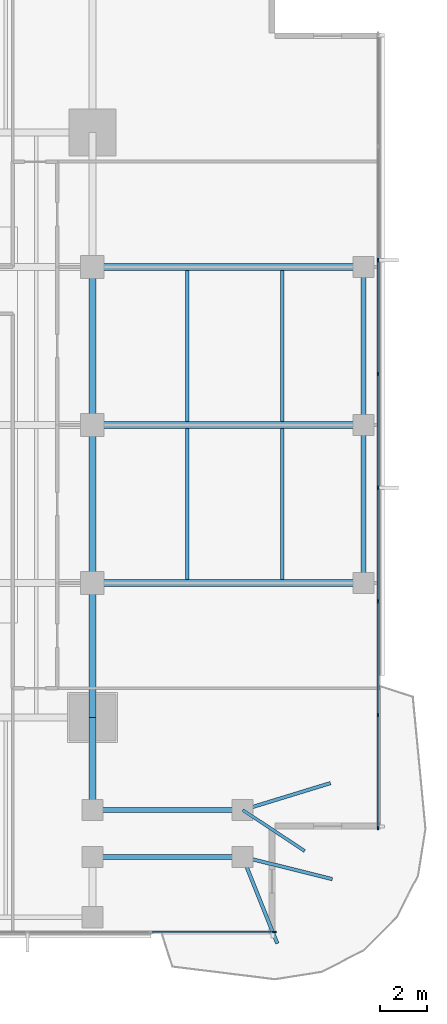
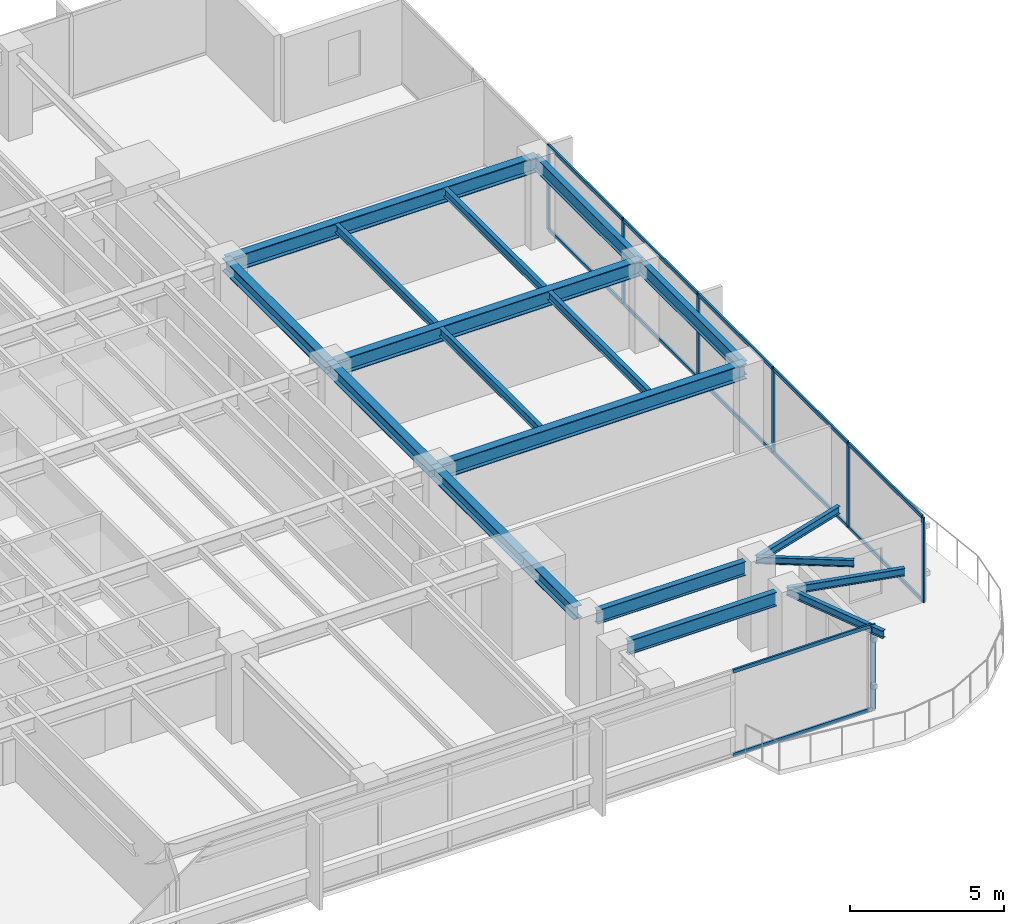
# One storey, part 4 of 14: 19 beams, 19 members, 2 elements without a shape of their own.
"""IFC4 building model written with IfcOpenShell, lengths in metres."""

from ifc_helpers import new_model, si_unit, direction, frame, origin, origin_2d, place, context, subcontext, project, spatial, rectangle, i_section, extrude, material, layer, layer_set, material_profile, profile_set, type_object, element, aggregate, save


model = new_model("IFC4")

# Units and contexts
model_context = context("Model", 3, precision=1e-05, world=origin(), true_north=direction((0.0, 1.0)))
body_context = subcontext(model_context, "Body", "Model", "MODEL_VIEW")
ifc_project = project(units=[si_unit("LENGTHUNIT", "METRE"), si_unit("AREAUNIT", "SQUARE_METRE"), si_unit("VOLUMEUNIT", "CUBIC_METRE"), si_unit("PLANEANGLEUNIT", "RADIAN"), si_unit("MASSUNIT", "GRAM", prefix="KILO")], contexts=[model_context])

# Site, building, storey
site_placement = place(None, origin())
site = spatial("IfcSite", under=ifc_project, at=site_placement, CompositionType="ELEMENT")
building_placement = place(site_placement, origin())
building = spatial("IfcBuilding", under=site, at=building_placement, Name="Kinhvarn Gate Tower", CompositionType="ELEMENT")
storey_placement = place(building_placement, frame((0.0, 0.0, 151.949951171875)))
storey = spatial("IfcBuildingStorey", under=building, at=storey_placement, Name="L40", CompositionType="ELEMENT", Elevation=151.949951171875)

# Curtain wall, member
ifc_material_1 = material(Name="Anodised aluminium AW-6063", Category="aluminium")
ifc_layer = layer(ifc_material_1, 0.179931640625)
ifc_layer_set = layer_set([ifc_layer], Name="Anodised aluminium AW-6063")
curtain_wall_type = type_object("IfcCurtainWallType", Name="CW-SYS-3", PredefinedType="NOTDEFINED", material=ifc_layer_set)
curtain_wall_1_placement = place(storey_placement, origin())
curtain_wall_1 = element("IfcCurtainWall", 1, at=curtain_wall_1_placement, inside=storey, type_object=curtain_wall_type, Name="Curtain Wall CW3 (L40)", PredefinedType="NOTDEFINED")
ifc_material_profile_1 = material_profile(ifc_material_1, rectangle(XDim=0.06494140625, YDim=0.159912109375, at=origin_2d()), Name="ALU 65x160")
ifc_profile_set_1 = profile_set([ifc_material_profile_1], Name="Anodised aluminium AW-6063")
member_type_1 = type_object("IfcMemberType", Name="CW-MUL-160", PredefinedType="MULLION", material=ifc_profile_set_1)
member_1_placement = place(storey_placement, frame((45.967529296875, 3.590087890625, 0.0), z_axis=(0.0, 0.0, 1.0), x_axis=(0.0, 1.0, 0.0)))
member_1 = element("IfcMember", 2, at=member_1_placement, type_object=member_type_1, Name="CW3 mullion 8", PredefinedType="MULLION", context=body_context, shape_type="SweptSolid", body=[
    extrude(rectangle(XDim=0.06494140625, YDim=0.159912109375, at=origin_2d()), origin(), (0.0, 0.0, 1.0), 3.3701171875),
])

# Curtain wall, members
curtain_wall_2_placement = place(storey_placement, origin())
curtain_wall_2 = element("IfcCurtainWall", 3, at=curtain_wall_2_placement, inside=storey, type_object=curtain_wall_type, Name="Curtain Wall CW3 (L40)", PredefinedType="NOTDEFINED")
member_2_placement = place(storey_placement, frame((50.409912109375, 8.032470703125, 0.0), z_axis=(0.0, 0.0, 1.0), x_axis=(-1.0, 0.0, 0.0)))
member_2 = element("IfcMember", 4, at=member_2_placement, type_object=member_type_1, Name="CW3 mullion 1", PredefinedType="MULLION", context=body_context, shape_type="SweptSolid", body=[
    extrude(rectangle(XDim=0.06494140625, YDim=0.159912109375, at=origin_2d()), origin(), (0.0, 0.0, 1.0), 3.3701171875),
])
member_3_placement = place(storey_placement, frame((50.409912109375, 12.857177734375, 0.0), z_axis=(0.0, 0.0, 1.0), x_axis=(-1.0, 0.0, 0.0)))
member_3 = element("IfcMember", 5, at=member_3_placement, type_object=member_type_1, Name="CW3 mullion 2", PredefinedType="MULLION", context=body_context, shape_type="SweptSolid", body=[
    extrude(rectangle(XDim=0.06494140625, YDim=0.159912109375, at=origin_2d()), origin(), (0.0, 0.0, 1.0), 3.3701171875),
])
member_4_placement = place(storey_placement, frame((50.409912109375, 17.71435546875, 0.0), z_axis=(0.0, 0.0, 1.0), x_axis=(-1.0, 0.0, 0.0)))
member_4 = element("IfcMember", 6, at=member_4_placement, type_object=member_type_1, Name="CW3 mullion 3", PredefinedType="MULLION", context=body_context, shape_type="SweptSolid", body=[
    extrude(rectangle(XDim=0.06494140625, YDim=0.159912109375, at=origin_2d()), origin(), (0.0, 0.0, 1.0), 3.3701171875),
])
member_5_placement = place(storey_placement, frame((50.409912109375, 22.571533203125, 0.0), z_axis=(0.0, 0.0, 1.0), x_axis=(-1.0, 0.0, 0.0)))
member_5 = element("IfcMember", 7, at=member_5_placement, type_object=member_type_1, Name="CW3 mullion 4", PredefinedType="MULLION", context=body_context, shape_type="SweptSolid", body=[
    extrude(rectangle(XDim=0.06494140625, YDim=0.159912109375, at=origin_2d()), origin(), (0.0, 0.0, 1.0), 3.3701171875),
])
member_6_placement = place(storey_placement, frame((50.409912109375, 27.428466796875, 0.0), z_axis=(0.0, 0.0, 1.0), x_axis=(-1.0, 0.0, 0.0)))
member_6 = element("IfcMember", 8, at=member_6_placement, type_object=member_type_1, Name="CW3 mullion 5", PredefinedType="MULLION", context=body_context, shape_type="SweptSolid", body=[
    extrude(rectangle(XDim=0.06494140625, YDim=0.159912109375, at=origin_2d()), origin(), (0.0, 0.0, 1.0), 3.3701171875),
])
member_7_placement = place(storey_placement, frame((50.409912109375, 32.28564453125, 0.0), z_axis=(0.0, 0.0, 1.0), x_axis=(-1.0, 0.0, 0.0)))
member_7 = element("IfcMember", 9, at=member_7_placement, type_object=member_type_1, Name="CW3 mullion 6", PredefinedType="MULLION", context=body_context, shape_type="SweptSolid", body=[
    extrude(rectangle(XDim=0.06494140625, YDim=0.159912109375, at=origin_2d()), origin(), (0.0, 0.0, 1.0), 3.3701171875),
])

# Member
ifc_material_profile_2 = material_profile(ifc_material_1, rectangle(XDim=0.070068359375, YDim=0.139892578125, at=origin_2d()), Name="ALU 70x140")
ifc_profile_set_2 = profile_set([ifc_material_profile_2], Name="Anodised aluminium AW-6063")
member_type_2 = type_object("IfcMemberType", Name="CW-TRN-140", PredefinedType="USERDEFINED", material=ifc_profile_set_2)
member_8_placement = place(storey_placement, frame((40.746826171875, 3.590087890625, 0.03515625), z_axis=(1.0, 0.0, 0.0), x_axis=(0.0, 1.0, 0.0)))
member_8 = element("IfcMember", 10, at=member_8_placement, type_object=member_type_2, Name="CW3 transom 7.1", ObjectType="TRANSOM", PredefinedType="USERDEFINED", context=body_context, shape_type="SweptSolid", body=[
    extrude(rectangle(XDim=0.070068359375, YDim=0.139892578125, at=origin_2d()), origin(), (0.0, 0.0, 1.0), 5.188232421875),
])

member_9_placement = place(storey_placement, frame((40.746826171875, 3.590087890625, 3.3349609375), z_axis=(1.0, 0.0, 0.0), x_axis=(0.0, 1.0, 0.0)))
member_9 = element("IfcMember", 11, at=member_9_placement, type_object=member_type_2, Name="CW3 transom 7.2", ObjectType="TRANSOM", PredefinedType="USERDEFINED", context=body_context, shape_type="SweptSolid", body=[
    extrude(rectangle(XDim=0.070068359375, YDim=0.139892578125, at=origin_2d()), origin(), (0.0, 0.0, 1.0), 5.188232421875),
])

aggregate(curtain_wall_1, [member_1, member_8, member_9])

member_10_placement = place(storey_placement, frame((50.409912109375, 8.06494140625, 0.03515625), z_axis=(0.0, 1.0, 0.0), x_axis=(-1.0, 0.0, 0.0)))
member_10 = element("IfcMember", 12, at=member_10_placement, type_object=member_type_2, Name="CW3 transom 1.1", ObjectType="TRANSOM", PredefinedType="USERDEFINED", context=body_context, shape_type="SweptSolid", body=[
    extrude(rectangle(XDim=0.070068359375, YDim=0.139892578125, at=origin_2d()), origin(), (0.0, 0.0, 1.0), 4.759765625),
])

member_11_placement = place(storey_placement, frame((50.409912109375, 8.06494140625, 3.3349609375), z_axis=(0.0, 1.0, 0.0), x_axis=(-1.0, 0.0, 0.0)))
member_11 = element("IfcMember", 13, at=member_11_placement, type_object=member_type_2, Name="CW3 transom 1.2", ObjectType="TRANSOM", PredefinedType="USERDEFINED", context=body_context, shape_type="SweptSolid", body=[
    extrude(rectangle(XDim=0.070068359375, YDim=0.139892578125, at=origin_2d()), origin(), (0.0, 0.0, 1.0), 4.759765625),
])

member_12_placement = place(storey_placement, frame((50.409912109375, 12.8896484375, 0.03515625), z_axis=(0.0, 1.0, 0.0), x_axis=(-1.0, 0.0, 0.0)))
member_12 = element("IfcMember", 14, at=member_12_placement, type_object=member_type_2, Name="CW3 transom 2.1", ObjectType="TRANSOM", PredefinedType="USERDEFINED", context=body_context, shape_type="SweptSolid", body=[
    extrude(rectangle(XDim=0.070068359375, YDim=0.139892578125, at=origin_2d()), origin(), (0.0, 0.0, 1.0), 4.792236328125),
])

member_13_placement = place(storey_placement, frame((50.409912109375, 12.8896484375, 3.3349609375), z_axis=(0.0, 1.0, 0.0), x_axis=(-1.0, 0.0, 0.0)))
member_13 = element("IfcMember", 15, at=member_13_placement, type_object=member_type_2, Name="CW3 transom 2.2", ObjectType="TRANSOM", PredefinedType="USERDEFINED", context=body_context, shape_type="SweptSolid", body=[
    extrude(rectangle(XDim=0.070068359375, YDim=0.139892578125, at=origin_2d()), origin(), (0.0, 0.0, 1.0), 4.792236328125),
])

member_14_placement = place(storey_placement, frame((50.409912109375, 17.746826171875, 0.03515625), z_axis=(0.0, 1.0, 0.0), x_axis=(-1.0, 0.0, 0.0)))
member_14 = element("IfcMember", 16, at=member_14_placement, type_object=member_type_2, Name="CW3 transom 3.1", ObjectType="TRANSOM", PredefinedType="USERDEFINED", context=body_context, shape_type="SweptSolid", body=[
    extrude(rectangle(XDim=0.070068359375, YDim=0.139892578125, at=origin_2d()), origin(), (0.0, 0.0, 1.0), 4.7919921875),
])

member_15_placement = place(storey_placement, frame((50.409912109375, 17.746826171875, 3.3349609375), z_axis=(0.0, 1.0, 0.0), x_axis=(-1.0, 0.0, 0.0)))
member_15 = element("IfcMember", 17, at=member_15_placement, type_object=member_type_2, Name="CW3 transom 3.2", ObjectType="TRANSOM", PredefinedType="USERDEFINED", context=body_context, shape_type="SweptSolid", body=[
    extrude(rectangle(XDim=0.070068359375, YDim=0.139892578125, at=origin_2d()), origin(), (0.0, 0.0, 1.0), 4.7919921875),
])

member_16_placement = place(storey_placement, frame((50.409912109375, 22.60400390625, 0.03515625), z_axis=(0.0, 1.0, 0.0), x_axis=(-1.0, 0.0, 0.0)))
member_16 = element("IfcMember", 18, at=member_16_placement, type_object=member_type_2, Name="CW3 transom 4.1", ObjectType="TRANSOM", PredefinedType="USERDEFINED", context=body_context, shape_type="SweptSolid", body=[
    extrude(rectangle(XDim=0.070068359375, YDim=0.139892578125, at=origin_2d()), origin(), (0.0, 0.0, 1.0), 4.7919921875),
])

member_17_placement = place(storey_placement, frame((50.409912109375, 22.60400390625, 3.3349609375), z_axis=(0.0, 1.0, 0.0), x_axis=(-1.0, 0.0, 0.0)))
member_17 = element("IfcMember", 19, at=member_17_placement, type_object=member_type_2, Name="CW3 transom 4.2", ObjectType="TRANSOM", PredefinedType="USERDEFINED", context=body_context, shape_type="SweptSolid", body=[
    extrude(rectangle(XDim=0.070068359375, YDim=0.139892578125, at=origin_2d()), origin(), (0.0, 0.0, 1.0), 4.7919921875),
])

member_18_placement = place(storey_placement, frame((50.409912109375, 27.461181640625, 0.03515625), z_axis=(0.0, 1.0, 0.0), x_axis=(-1.0, 0.0, 0.0)))
member_18 = element("IfcMember", 20, at=member_18_placement, type_object=member_type_2, Name="CW3 transom 5.1", ObjectType="TRANSOM", PredefinedType="USERDEFINED", context=body_context, shape_type="SweptSolid", body=[
    extrude(rectangle(XDim=0.070068359375, YDim=0.139892578125, at=origin_2d()), origin(), (0.0, 0.0, 1.0), 4.7919921875),
])

member_19_placement = place(storey_placement, frame((50.409912109375, 27.461181640625, 3.3349609375), z_axis=(0.0, 1.0, 0.0), x_axis=(-1.0, 0.0, 0.0)))
member_19 = element("IfcMember", 21, at=member_19_placement, type_object=member_type_2, Name="CW3 transom 5.2", ObjectType="TRANSOM", PredefinedType="USERDEFINED", context=body_context, shape_type="SweptSolid", body=[
    extrude(rectangle(XDim=0.070068359375, YDim=0.139892578125, at=origin_2d()), origin(), (0.0, 0.0, 1.0), 4.7919921875),
])

aggregate(curtain_wall_2, [member_2, member_3, member_4, member_5, member_6, member_7, member_10, member_11, member_12, member_13, member_14, member_15, member_16, member_17, member_18, member_19])

# Beams
ifc_material_2 = material(Name="Steel S355", Category="steel")
ifc_material_profile_3 = material_profile(ifc_material_2, i_section(OverallWidth=0.300048828125, OverallDepth=0.5, WebThickness=0.014404296875, FlangeThickness=0.028076171875, at=origin_2d()), Name="HEB 500")
ifc_profile_set_3 = profile_set([ifc_material_profile_3], Name="Steel S355")
beam_type_1 = type_object("IfcBeamType", Name="STL-HEB500", PredefinedType="BEAM", material=ifc_profile_set_3)
beam_1_placement = place(storey_placement, frame((38.199951171875, 9.235107421875, 3.1201171875), z_axis=(0.0, 1.0, 0.0), x_axis=(-1.0, 0.0, 0.0)))
element("IfcBeam", 22, at=beam_1_placement, inside=storey, type_object=beam_type_1, Name="Floor Beam PG-14 (L40 MCE-S-A2)", PredefinedType="BEAM", context=body_context, shape_type="SweptSolid", body=[
    extrude(i_section(OverallWidth=0.300048828125, OverallDepth=0.5, WebThickness=0.014404296875, FlangeThickness=0.028076171875, at=origin_2d()), origin(), (0.0, 0.0, 1.0), 3.514892578125),
])
beam_2_placement = place(storey_placement, frame((38.199951171875, 12.75, 3.1201171875), z_axis=(0.0, 1.0, 0.0), x_axis=(-1.0, 0.0, 0.0)))
element("IfcBeam", 23, at=beam_2_placement, inside=storey, type_object=beam_type_1, Name="Floor Beam PG-14 (L40 MG-E-12)", PredefinedType="BEAM", context=body_context, shape_type="SweptSolid", body=[
    extrude(i_section(OverallWidth=0.300048828125, OverallDepth=0.5, WebThickness=0.014404296875, FlangeThickness=0.028076171875, at=origin_2d()), origin(), (0.0, 0.0, 1.0), 5.75),
])
for number, where, z_axis, x_axis, name in (
    (24, (38.199951171875, 18.5, 3.1201171875), (0.0, 1.0, 0.0), (-1.0, 0.0, 0.0), "Floor Beam PG-14 (L40 MG-E-18)"),
    (25, (38.199951171875, 25.25, 3.1201171875), (0.0, 1.0, 0.0), (-1.0, 0.0, 0.0), "Floor Beam PG-14 (L40 MG-E-25)"),
):
    element("IfcBeam", number, at=place(storey_placement, frame(where, z_axis=z_axis, x_axis=x_axis)), inside=storey, type_object=beam_type_1, Name=name, PredefinedType="BEAM", context=body_context, shape_type="SweptSolid", body=[
        extrude(i_section(OverallWidth=0.300048828125, OverallDepth=0.5, WebThickness=0.014404296875, FlangeThickness=0.028076171875, at=origin_2d()), origin(), (0.0, 0.0, 1.0), 6.75),
    ])
ifc_material_profile_4 = material_profile(ifc_material_2, i_section(OverallWidth=0.300048828125, OverallDepth=0.60009765625, WebThickness=0.015380859375, FlangeThickness=0.030029296875, at=origin_2d()), Name="HEB 600")
ifc_profile_set_4 = profile_set([ifc_material_profile_4], Name="Steel S355")
beam_type_2 = type_object("IfcBeamType", Name="STL-HEB600", PredefinedType="BEAM", material=ifc_profile_set_4)
for number, where, z_axis, x_axis, name in (
    (26, (38.199951171875, 18.5, 3.070068359375), (1.0, 0.0, 0.0), (0.0, 1.0, 0.0), "Floor Beam PG-16 (L40 EW2-Y18)"),
    (27, (38.199951171875, 25.25, 3.070068359375), (1.0, 0.0, 0.0), (0.0, 1.0, 0.0), "Floor Beam PG-16 (L40 EW2-Y25)"),
    (28, (38.199951171875, 32.0, 3.070068359375), (1.0, 0.0, 0.0), (0.0, 1.0, 0.0), "Floor Beam PG-16 (L40 EW2-Y32)"),
):
    element("IfcBeam", number, at=place(storey_placement, frame(where, z_axis=z_axis, x_axis=x_axis)), inside=storey, type_object=beam_type_2, Name=name, PredefinedType="BEAM", context=body_context, shape_type="SweptSolid", body=[
        extrude(i_section(OverallWidth=0.300048828125, OverallDepth=0.60009765625, WebThickness=0.015380859375, FlangeThickness=0.030029296875, at=origin_2d()), origin(), (0.0, 0.0, 1.0), 11.580078125),
    ])
ifc_material_profile_5 = material_profile(ifc_material_2, i_section(OverallWidth=0.135009765625, OverallDepth=0.27001953125, WebThickness=0.006591796875, FlangeThickness=0.01025390625, at=origin_2d()), Name="IPE 270")
ifc_profile_set_5 = profile_set([ifc_material_profile_5], Name="Steel S355")
beam_type_3 = type_object("IfcBeamType", Name="STL-IPE270", PredefinedType="JOIST", material=ifc_profile_set_5)
beam_3_placement = place(storey_placement, frame((44.6201171875, 8.800048828125, 3.235107421875), z_axis=(0.834455271211, -0.5510756757, 0.0), x_axis=(0.5510756757, 0.834455271211, 0.0)))
element("IfcBeam", 29, at=beam_3_placement, inside=storey, type_object=beam_type_3, Name="Floor Joist SB-01 (L40 BAL-B3-L41)", PredefinedType="JOIST", context=body_context, shape_type="SweptSolid", body=[
    extrude(i_section(OverallWidth=0.135009765625, OverallDepth=0.27001953125, WebThickness=0.006591796875, FlangeThickness=0.01025390625, at=origin_2d()), origin(), (0.0, 0.0, 1.0), 3.175537109375),
])
ifc_material_profile_6 = material_profile(ifc_material_2, i_section(OverallWidth=0.14990234375, OverallDepth=0.300048828125, WebThickness=0.007080078125, FlangeThickness=0.0107421875, at=origin_2d()), Name="IPE 300")
ifc_profile_set_6 = profile_set([ifc_material_profile_6], Name="Steel S355")
beam_type_4 = type_object("IfcBeamType", Name="STL-IPE300", PredefinedType="JOIST", material=ifc_profile_set_6)
beam_4_placement = place(storey_placement, frame((44.6201171875, 6.800048828125, 3.219970703125), z_axis=(0.97058851083, -0.240744558911, 0.0), x_axis=(0.240744558911, 0.97058851083, 0.0)))
element("IfcBeam", 30, at=beam_4_placement, inside=storey, type_object=beam_type_4, Name="Floor Joist SB-02 (L40 BAL-B1-L41)", PredefinedType="JOIST", context=body_context, shape_type="SweptSolid", body=[
    extrude(i_section(OverallWidth=0.14990234375, OverallDepth=0.300048828125, WebThickness=0.007080078125, FlangeThickness=0.0107421875, at=origin_2d()), origin(), (0.0, 0.0, 1.0), 3.94580078125),
])
beam_5_placement = place(storey_placement, frame((44.6201171875, 6.800048828125, 3.219970703125), z_axis=(0.371390676354, -0.928476690885, 0.0), x_axis=(0.928476690885, 0.371390676354, 0.0)))
element("IfcBeam", 31, at=beam_5_placement, inside=storey, type_object=beam_type_4, Name="Floor Joist SB-02 (L40 BAL-B2-L41)", PredefinedType="JOIST", context=body_context, shape_type="SweptSolid", body=[
    extrude(i_section(OverallWidth=0.14990234375, OverallDepth=0.300048828125, WebThickness=0.007080078125, FlangeThickness=0.0107421875, at=origin_2d()), origin(), (0.0, 0.0, 1.0), 3.98486328125),
])
beam_6_placement = place(storey_placement, frame((44.6201171875, 8.800048828125, 3.219970703125), z_axis=(0.95606118681, 0.293167199862, 0.0), x_axis=(-0.293167199862, 0.95606118681, 0.0)))
element("IfcBeam", 32, at=beam_6_placement, inside=storey, type_object=beam_type_4, Name="Floor Joist SB-02 (L40 BAL-B5-L41)", PredefinedType="JOIST", context=body_context, shape_type="SweptSolid", body=[
    extrude(i_section(OverallWidth=0.14990234375, OverallDepth=0.300048828125, WebThickness=0.007080078125, FlangeThickness=0.0107421875, at=origin_2d()), origin(), (0.0, 0.0, 1.0), 3.92236328125),
])
ifc_material_profile_7 = material_profile(ifc_material_2, i_section(OverallWidth=0.159912109375, OverallDepth=0.330078125, WebThickness=0.007568359375, FlangeThickness=0.011474609375, at=origin_2d()), Name="IPE 330")
ifc_profile_set_7 = profile_set([ifc_material_profile_7], Name="Steel S355")
beam_type_5 = type_object("IfcBeamType", Name="STL-IPE330", PredefinedType="JOIST", material=ifc_profile_set_7)
for number, where, z_axis, x_axis, name in (
    (33, (42.25, 18.64990234375, 3.205078125), (0.0, 1.0, 0.0), (-1.0, 0.0, 0.0), "Floor Joist SB-03 (L40 JC-X422-1)"),
    (34, (42.25, 25.39990234375, 3.205078125), (0.0, 1.0, 0.0), (-1.0, 0.0, 0.0), "Floor Joist SB-03 (L40 JC-X422-2)"),
    (35, (46.31005859375, 18.64990234375, 3.205078125), (0.0, 1.0, 0.0), (-1.0, 0.0, 0.0), "Floor Joist SB-03 (L40 JC-X463-1)"),
    (36, (46.31005859375, 25.39990234375, 3.205078125), (0.0, 1.0, 0.0), (-1.0, 0.0, 0.0), "Floor Joist SB-03 (L40 JC-X463-2)"),
):
    element("IfcBeam", number, at=place(storey_placement, frame(where, z_axis=z_axis, x_axis=x_axis)), inside=storey, type_object=beam_type_5, Name=name, PredefinedType="JOIST", context=body_context, shape_type="SweptSolid", body=[
        extrude(i_section(OverallWidth=0.159912109375, OverallDepth=0.330078125, WebThickness=0.007568359375, FlangeThickness=0.011474609375, at=origin_2d()), origin(), (0.0, 0.0, 1.0), 6.4501953125),
    ])
ifc_material_profile_8 = material_profile(ifc_material_2, i_section(OverallWidth=0.2099609375, OverallDepth=0.550048828125, WebThickness=0.010986328125, FlangeThickness=0.01708984375, at=origin_2d()), Name="IPE 550")
ifc_profile_set_8 = profile_set([ifc_material_profile_8], Name="Steel S355")
beam_type_6 = type_object("IfcBeamType", Name="STL-IPE550", PredefinedType="SPANDREL", material=ifc_profile_set_8)
for number, where, z_axis, x_axis, name in (
    (37, (38.635009765625, 8.800048828125, 3.094970703125), (1.0, 0.0, 0.0), (0.0, 1.0, 0.0), "Floor Spandrel SB-08 (L40 SP-SE2)"),
    (38, (38.635009765625, 6.800048828125, 3.094970703125), (1.0, 0.0, 0.0), (0.0, 1.0, 0.0), "Floor Spandrel SB-08 (L40 SP-SE2-S)"),
):
    element("IfcBeam", number, at=place(storey_placement, frame(where, z_axis=z_axis, x_axis=x_axis)), inside=storey, type_object=beam_type_6, Name=name, PredefinedType="SPANDREL", context=body_context, shape_type="SweptSolid", body=[
        extrude(i_section(OverallWidth=0.2099609375, OverallDepth=0.550048828125, WebThickness=0.010986328125, FlangeThickness=0.01708984375, at=origin_2d()), origin(), (0.0, 0.0, 1.0), 5.550048828125),
    ])
for number, where, z_axis, x_axis, name in (
    (39, (49.780029296875, 18.5, 3.094970703125), (0.0, 1.0, 0.0), (-1.0, 0.0, 0.0), "Floor Spandrel SB-08 (L40 SP-E2)"),
    (40, (49.780029296875, 25.25, 3.094970703125), (0.0, 1.0, 0.0), (-1.0, 0.0, 0.0), "Floor Spandrel SB-08 (L40 SP-E3)"),
):
    element("IfcBeam", number, at=place(storey_placement, frame(where, z_axis=z_axis, x_axis=x_axis)), inside=storey, type_object=beam_type_6, Name=name, PredefinedType="SPANDREL", context=body_context, shape_type="SweptSolid", body=[
        extrude(i_section(OverallWidth=0.2099609375, OverallDepth=0.550048828125, WebThickness=0.010986328125, FlangeThickness=0.01708984375, at=origin_2d()), origin(), (0.0, 0.0, 1.0), 6.75),
    ])

save(model, "model.ifc")
